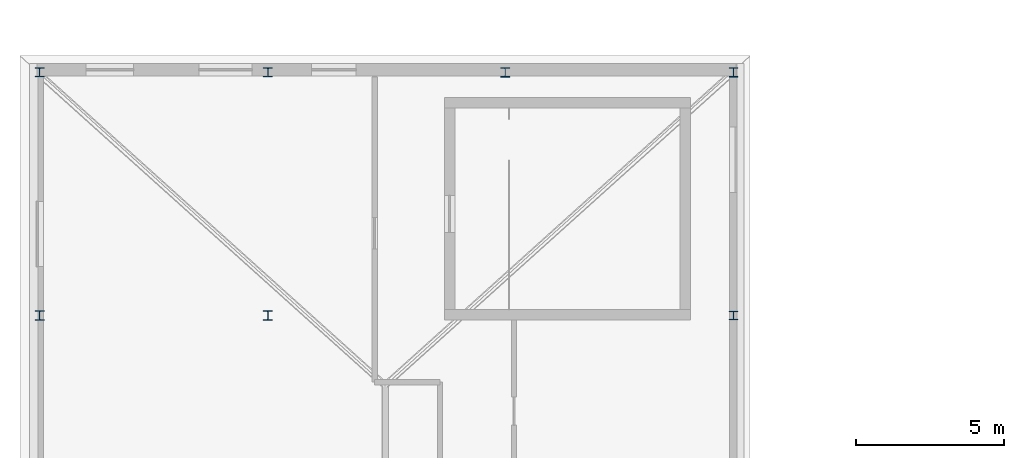
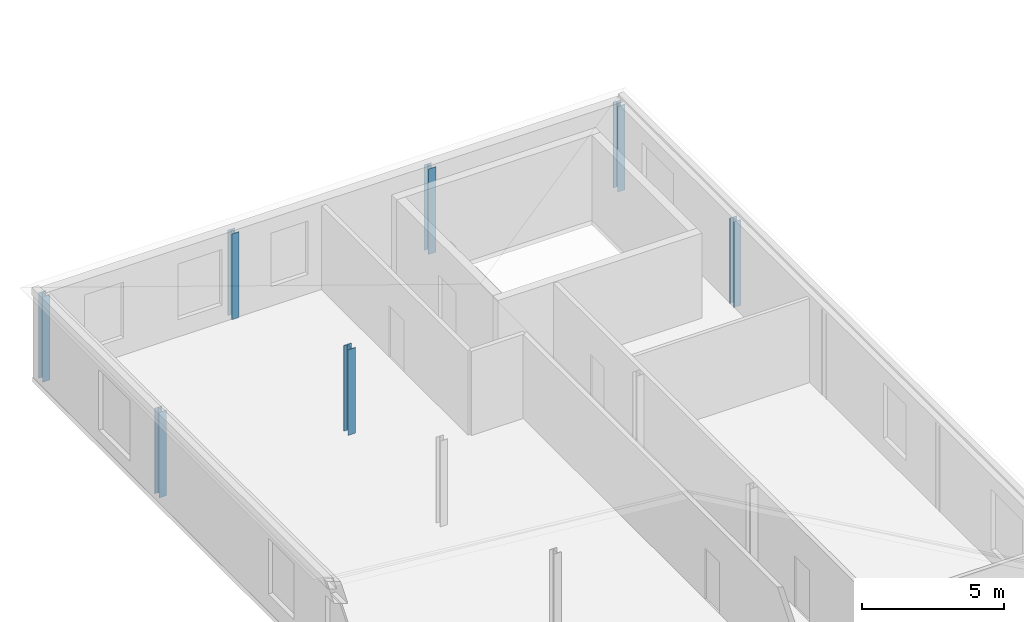
# One storey, part 5 of 42: 7 columns.
"""IFC4 building model written with IfcOpenShell, lengths in metres."""

from ifc_helpers import new_model, si_unit, direction, frame, origin, origin_2d, place, context, subcontext, project, spatial, i_section, extrude, material, material_profile, profile_set, type_object, element, save


model = new_model("IFC4")

# Units and contexts
model_context = context("Model", 3, precision=1e-05, world=origin(), true_north=direction((0.0, 1.0)))
body_context = subcontext(model_context, "Body", "Model", "MODEL_VIEW")
ifc_project = project(units=[si_unit("LENGTHUNIT", "METRE"), si_unit("AREAUNIT", "SQUARE_METRE"), si_unit("VOLUMEUNIT", "CUBIC_METRE"), si_unit("PLANEANGLEUNIT", "RADIAN"), si_unit("MASSUNIT", "GRAM", prefix="KILO"), si_unit("THERMODYNAMICTEMPERATUREUNIT", "KELVIN"), si_unit("POWERUNIT", "WATT")], contexts=[model_context])

# Site, building, storey
site_placement = place(None, origin())
site = spatial("IfcSite", under=ifc_project, at=site_placement, CompositionType="ELEMENT")
building_placement = place(site_placement, origin())
building = spatial("IfcBuilding", under=site, at=building_placement, Name="Solvatero Civic Police Headquarters", CompositionType="ELEMENT")
storey_placement = place(building_placement, frame((0.0, 0.0, 21.60009765625)))
storey = spatial("IfcBuildingStorey", under=building, at=storey_placement, Name="L05", CompositionType="ELEMENT", Elevation=21.60009765625)

# Columns
ifc_material = material(Name="Steel S355", Category="steel")
ifc_material_profile_1 = material_profile(ifc_material, i_section(OverallWidth=0.300048828125, OverallDepth=0.300048828125, WebThickness=0.010986328125, FlangeThickness=0.01904296875, FilletRadius=0.027099609375, at=origin_2d()), Name="HEB 300")
ifc_profile_set_1 = profile_set([ifc_material_profile_1], Name="Steel S355")
column_type_1 = type_object("IfcColumnType", Name="COL-ST-HEB300", PredefinedType="COLUMN", material=ifc_profile_set_1)
for number, where, z_axis, x_axis, name in (
    (1, (4.800048828125, 83.199951171875, 0.0), (0.0, 0.0, 1.0), (1.0, 0.0, 0.0), "Column V6-X1Y6 L05"),
    (2, (12.5, 83.199951171875, 0.0), (0.0, 0.0, 1.0), (1.0, 0.0, 0.0), "Column V6-X2Y6 L05"),
    (3, (28.199951171875, 75.0, 0.0), (0.0, 0.0, 1.0), (1.0, 0.0, 0.0), "Column V6-X4Y5 L05"),
):
    element("IfcColumn", number, at=place(storey_placement, frame(where, z_axis=z_axis, x_axis=x_axis)), inside=storey, type_object=column_type_1, Name=name, PredefinedType="COLUMN", context=body_context, shape_type="SweptSolid", body=[
        extrude(i_section(OverallWidth=0.300048828125, OverallDepth=0.300048828125, WebThickness=0.010986328125, FlangeThickness=0.01904296875, FilletRadius=0.027099609375, at=origin_2d()), origin(), (0.0, 0.0, 1.0), 3.679931640625),
    ])
ifc_material_profile_2 = material_profile(ifc_material, i_section(OverallWidth=0.300048828125, OverallDepth=0.320068359375, WebThickness=0.011474609375, FlangeThickness=0.0205078125, FilletRadius=0.027099609375, at=origin_2d()), Name="HEB 320")
ifc_profile_set_2 = profile_set([ifc_material_profile_2], Name="Steel S355")
column_type_2 = type_object("IfcColumnType", Name="COL-ST-HEB320", PredefinedType="COLUMN", material=ifc_profile_set_2)
for number, where, z_axis, x_axis, name in (
    (4, (4.800048828125, 75.0, 0.0), (0.0, 0.0, 1.0), (1.0, 0.0, 0.0), "Column V6-X1Y5 L05"),
    (5, (12.5, 75.0, 0.0), (0.0, 0.0, 1.0), (1.0, 0.0, 0.0), "Column V6-X2Y5 L05"),
    (6, (20.5, 83.199951171875, 0.0), (0.0, 0.0, 1.0), (1.0, 0.0, 0.0), "Column V6-X3Y6 L05"),
    (7, (28.199951171875, 83.199951171875, 0.0), (0.0, 0.0, 1.0), (1.0, 0.0, 0.0), "Column V6-X4Y6 L05"),
):
    element("IfcColumn", number, at=place(storey_placement, frame(where, z_axis=z_axis, x_axis=x_axis)), inside=storey, type_object=column_type_2, Name=name, PredefinedType="COLUMN", context=body_context, shape_type="SweptSolid", body=[
        extrude(i_section(OverallWidth=0.300048828125, OverallDepth=0.320068359375, WebThickness=0.011474609375, FlangeThickness=0.0205078125, FilletRadius=0.027099609375, at=origin_2d()), origin(), (0.0, 0.0, 1.0), 3.679931640625),
    ])

save(model, "model.ifc")
